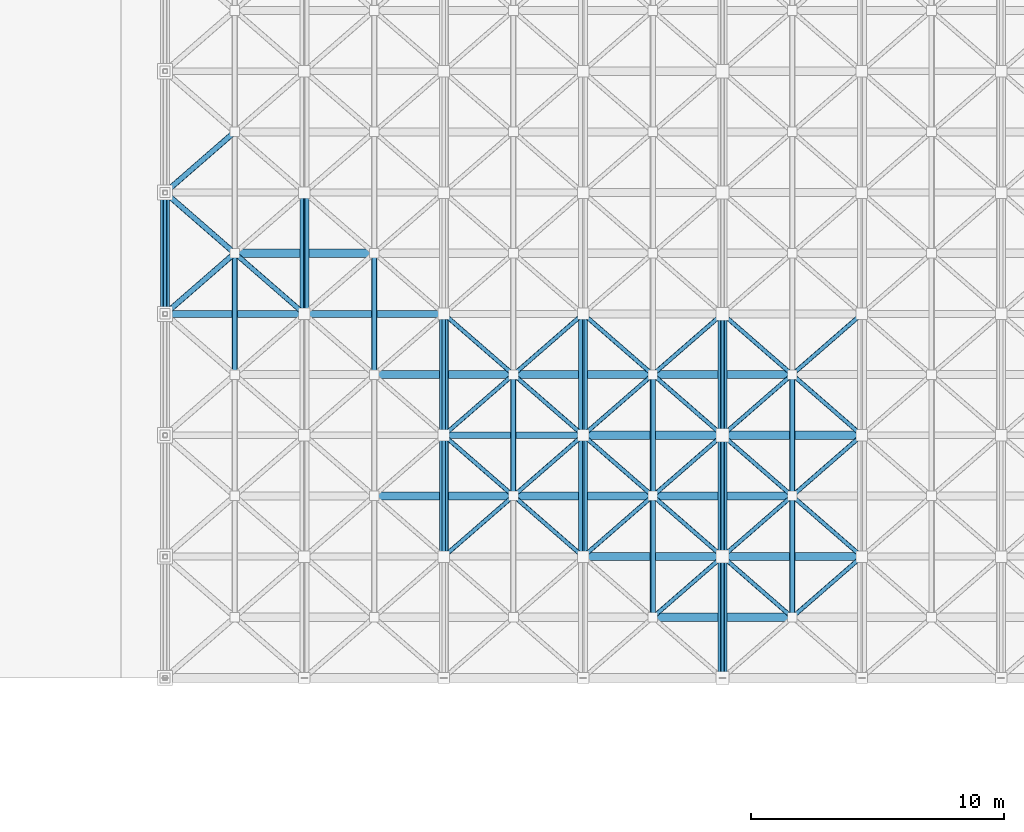
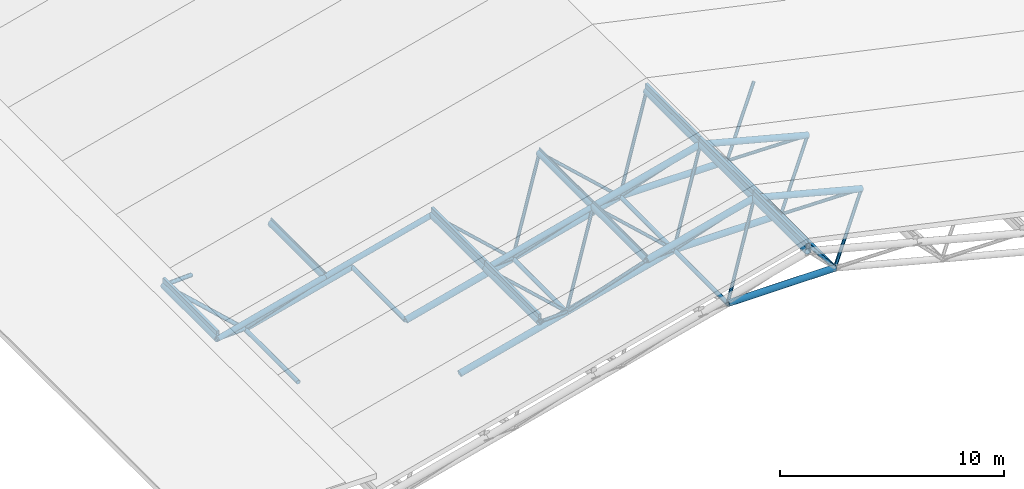
# One storey, part 2 of 60: 71 members.
"""IFC4 building model written with IfcOpenShell, lengths in metres."""

from ifc_helpers import new_model, si_unit, direction, frame, origin, origin_2d, place, context, subcontext, project, spatial, hollow_rectangle, hollow_circle, extrude, material, material_profile, profile_set, type_object, element, save


model = new_model("IFC4")

# Units and contexts
model_context = context("Model", 3, precision=1e-05, world=origin(), true_north=direction((0.0, 1.0)))
body_context = subcontext(model_context, "Body", "Model", "MODEL_VIEW")
ifc_project = project(units=[si_unit("LENGTHUNIT", "METRE"), si_unit("AREAUNIT", "SQUARE_METRE"), si_unit("VOLUMEUNIT", "CUBIC_METRE"), si_unit("PLANEANGLEUNIT", "RADIAN"), si_unit("MASSUNIT", "GRAM", prefix="KILO")], contexts=[model_context])

# Site, building, storey
site_placement = place(None, origin())
site = spatial("IfcSite", under=ifc_project, at=site_placement, CompositionType="ELEMENT")
building_placement = place(site_placement, origin())
building = spatial("IfcBuilding", under=site, at=building_placement, Name="Nakhvara Creek Congress Hotel", CompositionType="ELEMENT")
storey_placement = place(building_placement, frame((0.0, 0.0, 54.60009765625)))
storey = spatial("IfcBuildingStorey", under=building, at=storey_placement, Name="RL1", CompositionType="ELEMENT", Elevation=54.60009765625)

# Members
ifc_material = material(Name="Steel S355J2H", Category="steel")
ifc_material_profile_1 = material_profile(ifc_material, hollow_circle(Radius=0.084228515625, WallThickness=0.010009765625, at=origin_2d()), Name="CHS 168.3x10.0", Category="LoadBearing")
ifc_profile_set_1 = profile_set([ifc_material_profile_1], Name="Steel S355J2H")
member_type_1 = type_object("IfcMemberType", Name="MEM-BRC-CHS168H", PredefinedType="BRACE", material=ifc_profile_set_1)
for number, where, z_axis, x_axis, name in (
    (1, (28.44384765625, 36.0, -32.610107421875), (0.558202925689, 0.486060302908, 0.672424624541), (-0.656691284984, 0.754159503173, 0.0), "Congress Space Frame Web Diagonal 0219"),
    (2, (33.956298828125, 36.0, -32.610107421875), (-0.558236963804, 0.486046886997, 0.672406064728), (-0.656658200939, -0.754188310132, 0.0), "Congress Space Frame Web Diagonal 0224"),
):
    element("IfcMember", number, at=place(storey_placement, frame(where, z_axis=z_axis, x_axis=x_axis)), inside=storey, type_object=member_type_1, Name=name, PredefinedType="BRACE", context=body_context, shape_type="SweptSolid", body=[
        extrude(hollow_circle(Radius=0.084228515625, WallThickness=0.010009765625, at=origin_2d()), origin(), (0.0, 0.0, 1.0), 4.9375),
    ])
for number, where, z_axis, x_axis, name in (
    (3, (33.956298828125, 36.0, -32.610107421875), (0.670616255838, 0.583945238275, 0.457473273648), (-0.656691284984, 0.754159503173, 0.0), "Congress Space Frame Web Diagonal 0225"),
    (4, (22.93115234375, 40.800048828125, -34.050048828125), (-0.670611215194, -0.584000253041, 0.457410431127), (0.656729278158, -0.754126418587, 0.0), "Congress Space Frame Web Diagonal 0257"),
):
    element("IfcMember", number, at=place(storey_placement, frame(where, z_axis=z_axis, x_axis=x_axis)), inside=storey, type_object=member_type_1, Name=name, PredefinedType="BRACE", context=body_context, shape_type="SweptSolid", body=[
        extrude(hollow_circle(Radius=0.084228515625, WallThickness=0.010009765625, at=origin_2d()), origin(), (0.0, 0.0, 1.0), 4.10986328125),
    ])
member_1_placement = place(storey_placement, frame((22.93115234375, 40.800048828125, -34.050048828125), z_axis=(0.558223547657, -0.486084649868, 0.672389904746), x_axis=(0.656696195101, 0.754155227616, 0.0)))
element("IfcMember", 5, at=member_1_placement, inside=storey, type_object=member_type_1, Name="Congress Space Frame Web Diagonal 0258", PredefinedType="BRACE", context=body_context, shape_type="SweptSolid", body=[
    extrude(hollow_circle(Radius=0.084228515625, WallThickness=0.010009765625, at=origin_2d()), origin(), (0.0, 0.0, 1.0), 4.937744140625),
])
member_2_placement = place(storey_placement, frame((22.93115234375, 40.800048828125, -34.050048828125), z_axis=(-0.670634480014, 0.583961107143, 0.457426299593), x_axis=(-0.656691284984, -0.754159503173, 0.0)))
element("IfcMember", 6, at=member_2_placement, inside=storey, type_object=member_type_1, Name="Congress Space Frame Web Diagonal 0259", PredefinedType="BRACE", context=body_context, shape_type="SweptSolid", body=[
    extrude(hollow_circle(Radius=0.084228515625, WallThickness=0.010009765625, at=origin_2d()), origin(), (0.0, 0.0, 1.0), 4.109619140625),
])
member_3_placement = place(storey_placement, frame((22.93115234375, 40.800048828125, -34.050048828125), z_axis=(0.558236963804, 0.486046886997, 0.672406064728), x_axis=(-0.656658200939, 0.754188310132, 0.0)))
element("IfcMember", 7, at=member_3_placement, inside=storey, type_object=member_type_1, Name="Congress Space Frame Web Diagonal 0260", PredefinedType="BRACE", context=body_context, shape_type="SweptSolid", body=[
    extrude(hollow_circle(Radius=0.084228515625, WallThickness=0.010009765625, at=origin_2d()), origin(), (0.0, 0.0, 1.0), 4.9375),
])
member_4_placement = place(storey_placement, frame((28.44384765625, 40.800048828125, -32.610107421875), z_axis=(-0.670625680367, -0.583961121673, 0.457439181976), x_axis=(0.656696195101, -0.754155227616, 0.0)))
element("IfcMember", 8, at=member_4_placement, inside=storey, type_object=member_type_1, Name="Congress Space Frame Web Diagonal 0263", PredefinedType="BRACE", context=body_context, shape_type="SweptSolid", body=[
    extrude(hollow_circle(Radius=0.084228515625, WallThickness=0.010009765625, at=origin_2d()), origin(), (0.0, 0.0, 1.0), 4.110107421875),
])
member_5_placement = place(storey_placement, frame((28.44384765625, 40.800048828125, -32.610107421875), z_axis=(0.558189509619, -0.486098066176, 0.672408463221), x_axis=(0.656729278158, 0.754126418587, 0.0)))
element("IfcMember", 9, at=member_5_placement, inside=storey, type_object=member_type_1, Name="Congress Space Frame Web Diagonal 0264", PredefinedType="BRACE", context=body_context, shape_type="SweptSolid", body=[
    extrude(hollow_circle(Radius=0.084228515625, WallThickness=0.010009765625, at=origin_2d()), origin(), (0.0, 0.0, 1.0), 4.9375),
])
member_6_placement = place(storey_placement, frame((28.44384765625, 40.800048828125, -32.610107421875), z_axis=(-0.670648942571, 0.583921975684, 0.457455049313), x_axis=(-0.656658200939, -0.754188310132, 0.0)))
element("IfcMember", 10, at=member_6_placement, inside=storey, type_object=member_type_1, Name="Congress Space Frame Web Diagonal 0265", PredefinedType="BRACE", context=body_context, shape_type="SweptSolid", body=[
    extrude(hollow_circle(Radius=0.084228515625, WallThickness=0.010009765625, at=origin_2d()), origin(), (0.0, 0.0, 1.0), 4.10986328125),
])
member_7_placement = place(storey_placement, frame((28.44384765625, 40.800048828125, -32.610107421875), z_axis=(0.558202925689, 0.486060302908, 0.672424624541), x_axis=(-0.656691284984, 0.754159503173, 0.0)))
element("IfcMember", 11, at=member_7_placement, inside=storey, type_object=member_type_1, Name="Congress Space Frame Web Diagonal 0266", PredefinedType="BRACE", context=body_context, shape_type="SweptSolid", body=[
    extrude(hollow_circle(Radius=0.084228515625, WallThickness=0.010009765625, at=origin_2d()), origin(), (0.0, 0.0, 1.0), 4.9375),
])
member_8_placement = place(storey_placement, frame((33.956298828125, 40.800048828125, -32.610107421875), z_axis=(-0.558223547657, -0.486084649868, 0.672389904746), x_axis=(0.656696195101, -0.754155227616, 0.0)))
element("IfcMember", 12, at=member_8_placement, inside=storey, type_object=member_type_1, Name="Congress Space Frame Web Diagonal 0269", PredefinedType="BRACE", context=body_context, shape_type="SweptSolid", body=[
    extrude(hollow_circle(Radius=0.084228515625, WallThickness=0.010009765625, at=origin_2d()), origin(), (0.0, 0.0, 1.0), 4.937744140625),
])
member_9_placement = place(storey_placement, frame((33.956298828125, 40.800048828125, -32.610107421875), z_axis=(0.670592992914, -0.58398438421, 0.457457404414), x_axis=(0.656729278158, 0.754126418587, 0.0)))
element("IfcMember", 13, at=member_9_placement, inside=storey, type_object=member_type_1, Name="Congress Space Frame Web Diagonal 0270", PredefinedType="BRACE", context=body_context, shape_type="SweptSolid", body=[
    extrude(hollow_circle(Radius=0.084228515625, WallThickness=0.010009765625, at=origin_2d()), origin(), (0.0, 0.0, 1.0), 4.10986328125),
])
member_10_placement = place(storey_placement, frame((33.956298828125, 40.800048828125, -32.610107421875), z_axis=(-0.558236963804, 0.486046886997, 0.672406064728), x_axis=(-0.656658200939, -0.754188310132, 0.0)))
element("IfcMember", 14, at=member_10_placement, inside=storey, type_object=member_type_1, Name="Congress Space Frame Web Diagonal 0271", PredefinedType="BRACE", context=body_context, shape_type="SweptSolid", body=[
    extrude(hollow_circle(Radius=0.084228515625, WallThickness=0.010009765625, at=origin_2d()), origin(), (0.0, 0.0, 1.0), 4.9375),
])
for number, where, z_axis, x_axis, name in (
    (15, (33.956298828125, 40.800048828125, -32.610107421875), (0.670616255838, 0.583945238275, 0.457473273648), (-0.656691284984, 0.754159503173, 0.0), "Congress Space Frame Web Diagonal 0272"),
    (16, (22.93115234375, 45.60009765625, -34.050048828125), (-0.670611215194, -0.584000253041, 0.457410431127), (0.656729278158, -0.754126418587, 0.0), "Congress Space Frame Web Diagonal 0304"),
):
    element("IfcMember", number, at=place(storey_placement, frame(where, z_axis=z_axis, x_axis=x_axis)), inside=storey, type_object=member_type_1, Name=name, PredefinedType="BRACE", context=body_context, shape_type="SweptSolid", body=[
        extrude(hollow_circle(Radius=0.084228515625, WallThickness=0.010009765625, at=origin_2d()), origin(), (0.0, 0.0, 1.0), 4.10986328125),
    ])
member_11_placement = place(storey_placement, frame((22.93115234375, 45.60009765625, -34.050048828125), z_axis=(0.558223547657, -0.486084649868, 0.672389904746), x_axis=(0.656696195101, 0.754155227616, 0.0)))
element("IfcMember", 17, at=member_11_placement, inside=storey, type_object=member_type_1, Name="Congress Space Frame Web Diagonal 0305", PredefinedType="BRACE", context=body_context, shape_type="SweptSolid", body=[
    extrude(hollow_circle(Radius=0.084228515625, WallThickness=0.010009765625, at=origin_2d()), origin(), (0.0, 0.0, 1.0), 4.937744140625),
])
member_12_placement = place(storey_placement, frame((22.93115234375, 45.60009765625, -34.050048828125), z_axis=(-0.670634480014, 0.583961107143, 0.457426299593), x_axis=(-0.656691284984, -0.754159503173, 0.0)))
element("IfcMember", 18, at=member_12_placement, inside=storey, type_object=member_type_1, Name="Congress Space Frame Web Diagonal 0306", PredefinedType="BRACE", context=body_context, shape_type="SweptSolid", body=[
    extrude(hollow_circle(Radius=0.084228515625, WallThickness=0.010009765625, at=origin_2d()), origin(), (0.0, 0.0, 1.0), 4.109619140625),
])
member_13_placement = place(storey_placement, frame((22.93115234375, 45.60009765625, -34.050048828125), z_axis=(0.558236963804, 0.486046886997, 0.672406064728), x_axis=(-0.656658200939, 0.754188310132, 0.0)))
element("IfcMember", 19, at=member_13_placement, inside=storey, type_object=member_type_1, Name="Congress Space Frame Web Diagonal 0307", PredefinedType="BRACE", context=body_context, shape_type="SweptSolid", body=[
    extrude(hollow_circle(Radius=0.084228515625, WallThickness=0.010009765625, at=origin_2d()), origin(), (0.0, 0.0, 1.0), 4.9375),
])
member_14_placement = place(storey_placement, frame((28.44384765625, 45.60009765625, -32.610107421875), z_axis=(-0.670625680367, -0.583961121673, 0.457439181976), x_axis=(0.656696195101, -0.754155227616, 0.0)))
element("IfcMember", 20, at=member_14_placement, inside=storey, type_object=member_type_1, Name="Congress Space Frame Web Diagonal 0310", PredefinedType="BRACE", context=body_context, shape_type="SweptSolid", body=[
    extrude(hollow_circle(Radius=0.084228515625, WallThickness=0.010009765625, at=origin_2d()), origin(), (0.0, 0.0, 1.0), 4.110107421875),
])
member_15_placement = place(storey_placement, frame((28.44384765625, 45.60009765625, -32.610107421875), z_axis=(0.558189509619, -0.486098066176, 0.672408463221), x_axis=(0.656729278158, 0.754126418587, 0.0)))
element("IfcMember", 21, at=member_15_placement, inside=storey, type_object=member_type_1, Name="Congress Space Frame Web Diagonal 0311", PredefinedType="BRACE", context=body_context, shape_type="SweptSolid", body=[
    extrude(hollow_circle(Radius=0.084228515625, WallThickness=0.010009765625, at=origin_2d()), origin(), (0.0, 0.0, 1.0), 4.9375),
])
member_16_placement = place(storey_placement, frame((28.44384765625, 45.60009765625, -32.610107421875), z_axis=(-0.670648942571, 0.583921975684, 0.457455049313), x_axis=(-0.656658200939, -0.754188310132, 0.0)))
element("IfcMember", 22, at=member_16_placement, inside=storey, type_object=member_type_1, Name="Congress Space Frame Web Diagonal 0312", PredefinedType="BRACE", context=body_context, shape_type="SweptSolid", body=[
    extrude(hollow_circle(Radius=0.084228515625, WallThickness=0.010009765625, at=origin_2d()), origin(), (0.0, 0.0, 1.0), 4.10986328125),
])
member_17_placement = place(storey_placement, frame((28.44384765625, 45.60009765625, -32.610107421875), z_axis=(0.558202925689, 0.486060302908, 0.672424624541), x_axis=(-0.656691284984, 0.754159503173, 0.0)))
element("IfcMember", 23, at=member_17_placement, inside=storey, type_object=member_type_1, Name="Congress Space Frame Web Diagonal 0313", PredefinedType="BRACE", context=body_context, shape_type="SweptSolid", body=[
    extrude(hollow_circle(Radius=0.084228515625, WallThickness=0.010009765625, at=origin_2d()), origin(), (0.0, 0.0, 1.0), 4.9375),
])
member_18_placement = place(storey_placement, frame((33.956298828125, 45.60009765625, -32.610107421875), z_axis=(-0.558223547657, -0.486084649868, 0.672389904746), x_axis=(0.656696195101, -0.754155227616, 0.0)))
element("IfcMember", 24, at=member_18_placement, inside=storey, type_object=member_type_1, Name="Congress Space Frame Web Diagonal 0316", PredefinedType="BRACE", context=body_context, shape_type="SweptSolid", body=[
    extrude(hollow_circle(Radius=0.084228515625, WallThickness=0.010009765625, at=origin_2d()), origin(), (0.0, 0.0, 1.0), 4.937744140625),
])
member_19_placement = place(storey_placement, frame((33.956298828125, 45.60009765625, -32.610107421875), z_axis=(0.670592992914, -0.58398438421, 0.457457404414), x_axis=(0.656729278158, 0.754126418587, 0.0)))
element("IfcMember", 25, at=member_19_placement, inside=storey, type_object=member_type_1, Name="Congress Space Frame Web Diagonal 0317", PredefinedType="BRACE", context=body_context, shape_type="SweptSolid", body=[
    extrude(hollow_circle(Radius=0.084228515625, WallThickness=0.010009765625, at=origin_2d()), origin(), (0.0, 0.0, 1.0), 4.10986328125),
])
member_20_placement = place(storey_placement, frame((33.956298828125, 45.60009765625, -32.610107421875), z_axis=(-0.558236963804, 0.486046886997, 0.672406064728), x_axis=(-0.656658200939, -0.754188310132, 0.0)))
element("IfcMember", 26, at=member_20_placement, inside=storey, type_object=member_type_1, Name="Congress Space Frame Web Diagonal 0318", PredefinedType="BRACE", context=body_context, shape_type="SweptSolid", body=[
    extrude(hollow_circle(Radius=0.084228515625, WallThickness=0.010009765625, at=origin_2d()), origin(), (0.0, 0.0, 1.0), 4.9375),
])
member_21_placement = place(storey_placement, frame((33.956298828125, 45.60009765625, -32.610107421875), z_axis=(0.670616255838, 0.583945238275, 0.457473273648), x_axis=(-0.656691284984, 0.754159503173, 0.0)))
element("IfcMember", 27, at=member_21_placement, inside=storey, type_object=member_type_1, Name="Congress Space Frame Web Diagonal 0319", PredefinedType="BRACE", context=body_context, shape_type="SweptSolid", body=[
    extrude(hollow_circle(Radius=0.084228515625, WallThickness=0.010009765625, at=origin_2d()), origin(), (0.0, 0.0, 1.0), 4.10986328125),
])
ifc_material_profile_2 = material_profile(ifc_material, hollow_circle(Radius=0.096923828125, WallThickness=0.010009765625, at=origin_2d()), Name="CHS 193.7x10.0", Category="LoadBearing")
ifc_profile_set_2 = profile_set([ifc_material_profile_2], Name="Steel S355J2H")
member_type_2 = type_object("IfcMemberType", Name="MEM-BRC-CHS193", PredefinedType="BRACE", material=ifc_profile_set_2)
member_22_placement = place(storey_placement, frame((11.90625, 50.39990234375, -36.93017578125), z_axis=(0.558236963804, -0.486046886997, 0.672406064728), x_axis=(0.656658200939, 0.754188310132, 0.0)))
element("IfcMember", 28, at=member_22_placement, inside=storey, type_object=member_type_2, Name="Congress Space Frame Web Diagonal 0340", PredefinedType="BRACE", context=body_context, shape_type="SweptSolid", body=[
    extrude(hollow_circle(Radius=0.096923828125, WallThickness=0.010009765625, at=origin_2d()), origin(), (0.0, 0.0, 1.0), 4.9375),
])
ifc_material_profile_3 = material_profile(ifc_material, hollow_circle(Radius=0.109619140625, WallThickness=0.010009765625, at=origin_2d()), Name="CHS 219.1x10.0", Category="LoadBearing")
ifc_profile_set_3 = profile_set([ifc_material_profile_3], Name="Steel S355J2H")
member_type_3 = type_object("IfcMemberType", Name="MEM-BRC-CHS219", PredefinedType="BRACE", material=ifc_profile_set_3)
member_23_placement = place(storey_placement, frame((11.90625, 50.39990234375, -36.93017578125), z_axis=(-0.670648942571, -0.583921975684, 0.457455049313), x_axis=(0.656658200939, -0.754188310132, 0.0)))
element("IfcMember", 29, at=member_23_placement, inside=storey, type_object=member_type_3, Name="Congress Space Frame Web Diagonal 0339", PredefinedType="BRACE", context=body_context, shape_type="SweptSolid", body=[
    extrude(hollow_circle(Radius=0.109619140625, WallThickness=0.010009765625, at=origin_2d()), origin(), (0.0, 0.0, 1.0), 4.10986328125),
])
member_24_placement = place(storey_placement, frame((11.90625, 50.39990234375, -36.93017578125), z_axis=(-0.670625680367, 0.583961121673, 0.457439181976), x_axis=(-0.656696195101, -0.754155227616, 0.0)))
element("IfcMember", 30, at=member_24_placement, inside=storey, type_object=member_type_3, Name="Congress Space Frame Web Diagonal 0341", PredefinedType="BRACE", context=body_context, shape_type="SweptSolid", body=[
    extrude(hollow_circle(Radius=0.109619140625, WallThickness=0.010009765625, at=origin_2d()), origin(), (0.0, 0.0, 1.0), 4.110107421875),
])
member_25_placement = place(storey_placement, frame((11.90625, 55.199951171875, -36.93017578125), z_axis=(-0.670648942571, -0.583921975684, 0.457455049313), x_axis=(0.656658200939, -0.754188310132, 0.0)))
element("IfcMember", 31, at=member_25_placement, inside=storey, type_object=member_type_3, Name="Congress Space Frame Web Diagonal 0386", PredefinedType="BRACE", context=body_context, shape_type="SweptSolid", body=[
    extrude(hollow_circle(Radius=0.109619140625, WallThickness=0.010009765625, at=origin_2d()), origin(), (0.0, 0.0, 1.0), 4.10986328125),
])
ifc_material_profile_4 = material_profile(ifc_material, hollow_circle(Radius=0.109619140625, WallThickness=0.012451171875, at=origin_2d()), Name="CHS 219.1x12.5", Category="LoadBearing")
ifc_profile_set_4 = profile_set([ifc_material_profile_4], Name="Steel S355J2H")
member_type_4 = type_object("IfcMemberType", Name="MEM-CHD-CHS219H", PredefinedType="CHORD", material=ifc_profile_set_4)
for number, where, z_axis, x_axis, name in (
    (32, (28.44384765625, 36.0, -32.610107421875), (0.0, 1.0, 0.0), (-1.0, 0.0, 0.0), "Congress Roof Truss Bottom Tie 0215"),
    (33, (33.956298828125, 36.0, -32.610107421875), (0.0, 1.0, 0.0), (-1.0, 0.0, 0.0), "Congress Roof Truss Bottom Tie 0221"),
    (34, (22.93115234375, 40.800048828125, -34.050048828125), (0.0, 1.0, 0.0), (-1.0, 0.0, 0.0), "Congress Roof Truss Bottom Tie 0256"),
    (35, (28.44384765625, 40.800048828125, -32.610107421875), (0.0, 1.0, 0.0), (-1.0, 0.0, 0.0), "Congress Roof Truss Bottom Tie 0262"),
    (36, (33.956298828125, 40.800048828125, -32.610107421875), (0.0, 1.0, 0.0), (-1.0, 0.0, 0.0), "Congress Roof Truss Bottom Tie 0268"),
):
    element("IfcMember", number, at=place(storey_placement, frame(where, z_axis=z_axis, x_axis=x_axis)), inside=storey, type_object=member_type_4, Name=name, PredefinedType="CHORD", context=body_context, shape_type="SweptSolid", body=[
        extrude(hollow_circle(Radius=0.109619140625, WallThickness=0.012451171875, at=origin_2d()), origin(), (0.0, 0.0, 1.0), 4.800048828125),
    ])
for number, where, z_axis, x_axis, name in (
    (37, (11.90625, 45.60009765625, -36.93017578125), (0.0, 1.0, 0.0), (-1.0, 0.0, 0.0), "Congress Roof Truss Bottom Tie 0291"),
    (38, (17.418701171875, 45.60009765625, -35.489990234375), (0.0, 1.0, 0.0), (-1.0, 0.0, 0.0), "Congress Roof Truss Bottom Tie 0297"),
):
    element("IfcMember", number, at=place(storey_placement, frame(where, z_axis=z_axis, x_axis=x_axis)), inside=storey, type_object=member_type_4, Name=name, PredefinedType="CHORD", context=body_context, shape_type="SweptSolid", body=[
        extrude(hollow_circle(Radius=0.109619140625, WallThickness=0.012451171875, at=origin_2d()), origin(), (0.0, 0.0, 1.0), 4.7998046875),
    ])
ifc_material_profile_5 = material_profile(ifc_material, hollow_circle(Radius=0.136474609375, WallThickness=0.01611328125, at=origin_2d()), Name="CHS 273.0x16.0", Category="LoadBearing")
ifc_profile_set_5 = profile_set([ifc_material_profile_5], Name="Steel S355J2H")
member_type_5 = type_object("IfcMemberType", Name="MEM-CHD-CHS273H", PredefinedType="CHORD", material=ifc_profile_set_5)
member_26_placement = place(storey_placement, frame((20.175048828125, 43.199951171875, -32.170166015625), z_axis=(0.967524832219, 0.0, 0.252775985883), x_axis=(0.0, 1.0, 0.0)))
element("IfcMember", 39, at=member_26_placement, inside=storey, type_object=member_type_5, Name="Congress Space Frame Top Chord 0039", PredefinedType="CHORD", context=body_context, shape_type="SweptSolid", body=[
    extrude(hollow_circle(Radius=0.136474609375, WallThickness=0.01611328125, at=origin_2d()), origin(), (0.0, 0.0, 1.0), 5.697509765625),
])
member_27_placement = place(storey_placement, frame((9.14990234375, 48.0, -35.050048828125), z_axis=(0.967538048321, 0.0, 0.252725394553), x_axis=(0.0, 1.0, 0.0)))
element("IfcMember", 40, at=member_27_placement, inside=storey, type_object=member_type_5, Name="Congress Space Frame Top Chord 0052", PredefinedType="CHORD", context=body_context, shape_type="SweptSolid", body=[
    extrude(hollow_circle(Radius=0.136474609375, WallThickness=0.01611328125, at=origin_2d()), origin(), (0.0, 0.0, 1.0), 5.69775390625),
])
member_28_placement = place(storey_placement, frame((14.66259765625, 48.0, -33.610107421875), z_axis=(0.967535311358, 0.0, 0.252735872554), x_axis=(0.0, 1.0, 0.0)))
element("IfcMember", 41, at=member_28_placement, inside=storey, type_object=member_type_5, Name="Congress Space Frame Top Chord 0054", PredefinedType="CHORD", context=body_context, shape_type="SweptSolid", body=[
    extrude(hollow_circle(Radius=0.136474609375, WallThickness=0.01611328125, at=origin_2d()), origin(), (0.0, 0.0, 1.0), 5.697509765625),
])
ifc_material_profile_6 = material_profile(ifc_material, hollow_circle(Radius=0.161865234375, WallThickness=0.012451171875, at=origin_2d()), Name="CHS 323.9x12.5", Category="LoadBearing")
ifc_profile_set_6 = profile_set([ifc_material_profile_6], Name="Steel S355J2H")
member_type_6 = type_object("IfcMemberType", Name="MEM-CHD-CHS324", PredefinedType="CHORD", material=ifc_profile_set_6)
member_29_placement = place(storey_placement, frame((28.44384765625, 36.0, -32.610107421875), z_axis=(1.0, 0.0, 0.0), x_axis=(0.0, 1.0, 0.0)))
element("IfcMember", 42, at=member_29_placement, inside=storey, type_object=member_type_6, Name="Congress Space Frame Bottom Chord 0214", PredefinedType="CHORD", context=body_context, shape_type="SweptSolid", body=[
    extrude(hollow_circle(Radius=0.161865234375, WallThickness=0.012451171875, at=origin_2d()), origin(), (0.0, 0.0, 1.0), 5.512451171875),
])
member_30_placement = place(storey_placement, frame((17.418701171875, 40.800048828125, -35.489990234375), z_axis=(0.967535311358, 0.0, 0.252735872554), x_axis=(0.0, 1.0, 0.0)))
element("IfcMember", 43, at=member_30_placement, inside=storey, type_object=member_type_6, Name="Congress Space Frame Bottom Chord 0249", PredefinedType="CHORD", context=body_context, shape_type="SweptSolid", body=[
    extrude(hollow_circle(Radius=0.161865234375, WallThickness=0.012451171875, at=origin_2d()), origin(), (0.0, 0.0, 1.0), 5.697509765625),
])
member_31_placement = place(storey_placement, frame((22.93115234375, 40.800048828125, -34.050048828125), z_axis=(0.967538048321, 0.0, 0.252725394553), x_axis=(0.0, 1.0, 0.0)))
element("IfcMember", 44, at=member_31_placement, inside=storey, type_object=member_type_6, Name="Congress Space Frame Bottom Chord 0255", PredefinedType="CHORD", context=body_context, shape_type="SweptSolid", body=[
    extrude(hollow_circle(Radius=0.161865234375, WallThickness=0.012451171875, at=origin_2d()), origin(), (0.0, 0.0, 1.0), 5.69775390625),
])
member_32_placement = place(storey_placement, frame((28.44384765625, 40.800048828125, -32.610107421875), z_axis=(1.0, 0.0, 0.0), x_axis=(0.0, 1.0, 0.0)))
element("IfcMember", 45, at=member_32_placement, inside=storey, type_object=member_type_6, Name="Congress Space Frame Bottom Chord 0261", PredefinedType="CHORD", context=body_context, shape_type="SweptSolid", body=[
    extrude(hollow_circle(Radius=0.161865234375, WallThickness=0.012451171875, at=origin_2d()), origin(), (0.0, 0.0, 1.0), 5.512451171875),
])
member_33_placement = place(storey_placement, frame((17.418701171875, 45.60009765625, -35.489990234375), z_axis=(0.967535311358, 0.0, 0.252735872554), x_axis=(0.0, 1.0, 0.0)))
element("IfcMember", 46, at=member_33_placement, inside=storey, type_object=member_type_6, Name="Congress Space Frame Bottom Chord 0296", PredefinedType="CHORD", context=body_context, shape_type="SweptSolid", body=[
    extrude(hollow_circle(Radius=0.161865234375, WallThickness=0.012451171875, at=origin_2d()), origin(), (0.0, 0.0, 1.0), 5.697509765625),
])
member_34_placement = place(storey_placement, frame((22.93115234375, 45.60009765625, -34.050048828125), z_axis=(0.967538048321, 0.0, 0.252725394553), x_axis=(0.0, 1.0, 0.0)))
element("IfcMember", 47, at=member_34_placement, inside=storey, type_object=member_type_6, Name="Congress Space Frame Bottom Chord 0302", PredefinedType="CHORD", context=body_context, shape_type="SweptSolid", body=[
    extrude(hollow_circle(Radius=0.161865234375, WallThickness=0.012451171875, at=origin_2d()), origin(), (0.0, 0.0, 1.0), 5.69775390625),
])
member_35_placement = place(storey_placement, frame((28.44384765625, 45.60009765625, -32.610107421875), z_axis=(1.0, 0.0, 0.0), x_axis=(0.0, 1.0, 0.0)))
element("IfcMember", 48, at=member_35_placement, inside=storey, type_object=member_type_6, Name="Congress Space Frame Bottom Chord 0308", PredefinedType="CHORD", context=body_context, shape_type="SweptSolid", body=[
    extrude(hollow_circle(Radius=0.161865234375, WallThickness=0.012451171875, at=origin_2d()), origin(), (0.0, 0.0, 1.0), 5.512451171875),
])
member_36_placement = place(storey_placement, frame((11.90625, 50.39990234375, -36.93017578125), z_axis=(0.967524832219, 0.0, 0.252775985883), x_axis=(0.0, 1.0, 0.0)))
element("IfcMember", 49, at=member_36_placement, inside=storey, type_object=member_type_6, Name="Congress Space Frame Bottom Chord 0337", PredefinedType="CHORD", context=body_context, shape_type="SweptSolid", body=[
    extrude(hollow_circle(Radius=0.161865234375, WallThickness=0.012451171875, at=origin_2d()), origin(), (0.0, 0.0, 1.0), 5.697509765625),
])
ifc_material_profile_7 = material_profile(ifc_material, hollow_circle(Radius=0.161865234375, WallThickness=0.01611328125, at=origin_2d()), Name="CHS 323.9x16.0", Category="LoadBearing")
ifc_profile_set_7 = profile_set([ifc_material_profile_7], Name="Steel S355J2H")
member_type_7 = type_object("IfcMemberType", Name="MEM-CHD-CHS324H", PredefinedType="CHORD", material=ifc_profile_set_7)
for number, where, z_axis, x_axis, name in (
    (50, (25.6875, 38.39990234375, -30.72998046875), (0.967535311358, 0.0, 0.252735872554), (0.0, 1.0, 0.0), "Congress Space Frame Top Chord 0024"),
    (51, (31.199951171875, 38.39990234375, -29.2900390625), (0.967535311358, 0.0, -0.252735872554), (0.0, 1.0, 0.0), "Congress Space Frame Top Chord 0026"),
    (52, (25.6875, 43.199951171875, -30.72998046875), (0.967535311358, 0.0, 0.252735872554), (0.0, 1.0, 0.0), "Congress Space Frame Top Chord 0041"),
    (53, (31.199951171875, 43.199951171875, -29.2900390625), (0.967535311358, 0.0, -0.252735872554), (0.0, 1.0, 0.0), "Congress Space Frame Top Chord 0043"),
):
    element("IfcMember", number, at=place(storey_placement, frame(where, z_axis=z_axis, x_axis=x_axis)), inside=storey, type_object=member_type_7, Name=name, PredefinedType="CHORD", context=body_context, shape_type="SweptSolid", body=[
        extrude(hollow_circle(Radius=0.161865234375, WallThickness=0.01611328125, at=origin_2d()), origin(), (0.0, 0.0, 1.0), 5.697509765625),
    ])
ifc_material_profile_8 = material_profile(ifc_material, hollow_circle(Radius=0.177734375, WallThickness=0.01611328125, at=origin_2d()), Name="CHS 355.6x16.0", Category="LoadBearing")
ifc_profile_set_8 = profile_set([ifc_material_profile_8], Name="Steel S355J2H")
member_type_8 = type_object("IfcMemberType", Name="MEM-CHD-CHS355", PredefinedType="CHORD", material=ifc_profile_set_8)
member_37_placement = place(storey_placement, frame((31.199951171875, 33.60009765625, -29.2900390625), z_axis=(0.0, 1.0, 0.0), x_axis=(-1.0, 0.0, 0.0)))
element("IfcMember", 54, at=member_37_placement, inside=storey, type_object=member_type_8, Name="Congress Roof Truss Longitudinal Chord 0010", PredefinedType="CHORD", context=body_context, shape_type="SweptSolid", body=[
    extrude(hollow_circle(Radius=0.177734375, WallThickness=0.01611328125, at=origin_2d()), origin(), (0.0, 0.0, 1.0), 4.7998046875),
])
for number, where, z_axis, x_axis, name in (
    (55, (20.175048828125, 38.39990234375, -32.170166015625), (0.0, 1.0, 0.0), (-1.0, 0.0, 0.0), "Congress Roof Truss Longitudinal Chord 0023"),
    (56, (25.6875, 38.39990234375, -30.72998046875), (0.0, 1.0, 0.0), (-1.0, 0.0, 0.0), "Congress Roof Truss Longitudinal Chord 0025"),
    (57, (31.199951171875, 38.39990234375, -29.2900390625), (0.0, 1.0, 0.0), (-1.0, 0.0, 0.0), "Congress Roof Truss Longitudinal Chord 0027"),
    (58, (20.175048828125, 43.199951171875, -32.170166015625), (0.0, 1.0, 0.0), (-1.0, 0.0, 0.0), "Congress Roof Truss Longitudinal Chord 0040"),
    (59, (25.6875, 43.199951171875, -30.72998046875), (0.0, 1.0, 0.0), (-1.0, 0.0, 0.0), "Congress Roof Truss Longitudinal Chord 0042"),
    (60, (31.199951171875, 43.199951171875, -29.2900390625), (0.0, 1.0, 0.0), (-1.0, 0.0, 0.0), "Congress Roof Truss Longitudinal Chord 0044"),
    (61, (9.14990234375, 48.0, -35.050048828125), (0.0, 1.0, 0.0), (-1.0, 0.0, 0.0), "Congress Roof Truss Longitudinal Chord 0053"),
    (62, (14.66259765625, 48.0, -33.610107421875), (0.0, 1.0, 0.0), (-1.0, 0.0, 0.0), "Congress Roof Truss Longitudinal Chord 0055"),
):
    element("IfcMember", number, at=place(storey_placement, frame(where, z_axis=z_axis, x_axis=x_axis)), inside=storey, type_object=member_type_8, Name=name, PredefinedType="CHORD", context=body_context, shape_type="SweptSolid", body=[
        extrude(hollow_circle(Radius=0.177734375, WallThickness=0.01611328125, at=origin_2d()), origin(), (0.0, 0.0, 1.0), 4.800048828125),
    ])
ifc_material_profile_9 = material_profile(ifc_material, hollow_rectangle(XDim=0.06005859375, YDim=0.1201171875, WallThickness=0.0048828125, InnerFilletRadius=0.0048828125, OuterFilletRadius=0.010009765625, at=origin_2d()), Name="RHS 120x60x5.0", Category="LoadBearing")
ifc_profile_set_9 = profile_set([ifc_material_profile_9], Name="Steel S355J2H")
member_type_9 = type_object("IfcMemberType", Name="MEM-PUR-RHS120", PredefinedType="PURLIN", material=ifc_profile_set_9)
for number, where, z_axis, x_axis, name in (
    (63, (14.66259765625, 48.0, -33.378173828125), (0.0, 1.0, 0.0), (-1.0, 0.0, 0.0), "Congress Roof Purlin 015"),
    (64, (25.6875, 38.39990234375, -30.498046875), (0.0, 1.0, 0.0), (-1.0, 0.0, 0.0), "Congress Roof Purlin 035"),
    (65, (25.6875, 43.199951171875, -30.498046875), (0.0, 1.0, 0.0), (-1.0, 0.0, 0.0), "Congress Roof Purlin 036"),
):
    element("IfcMember", number, at=place(storey_placement, frame(where, z_axis=z_axis, x_axis=x_axis)), inside=storey, type_object=member_type_9, Name=name, PredefinedType="PURLIN", context=body_context, shape_type="SweptSolid", body=[
        extrude(hollow_rectangle(XDim=0.06005859375, YDim=0.1201171875, WallThickness=0.0048828125, InnerFilletRadius=0.0048828125, OuterFilletRadius=0.010009765625, at=origin_2d()), origin(), (0.0, 0.0, 1.0), 4.800048828125),
    ])
ifc_material_profile_10 = material_profile(ifc_material, hollow_rectangle(XDim=0.14990234375, YDim=0.25, WallThickness=0.010009765625, InnerFilletRadius=0.010009765625, OuterFilletRadius=0.02001953125, at=origin_2d()), Name="RHS 250x150x10.0", Category="LoadBearing")
ifc_profile_set_10 = profile_set([ifc_material_profile_10], Name="Steel S355J2H")
member_type_10 = type_object("IfcMemberType", Name="MEM-PUR-RHS250", PredefinedType="PURLIN", material=ifc_profile_set_10)
for number, where, z_axis, x_axis, name in (
    (66, (9.14990234375, 48.0, -34.753173828125), (0.0, 1.0, 0.0), (-1.0, 0.0, 0.0), "Congress Roof Purlin 004"),
    (67, (20.175048828125, 38.39990234375, -31.873046875), (0.0, 1.0, 0.0), (-1.0, 0.0, 0.0), "Congress Roof Purlin 024"),
    (68, (20.175048828125, 43.199951171875, -31.873046875), (0.0, 1.0, 0.0), (-1.0, 0.0, 0.0), "Congress Roof Purlin 025"),
):
    element("IfcMember", number, at=place(storey_placement, frame(where, z_axis=z_axis, x_axis=x_axis)), inside=storey, type_object=member_type_10, Name=name, PredefinedType="PURLIN", context=body_context, shape_type="SweptSolid", body=[
        extrude(hollow_rectangle(XDim=0.14990234375, YDim=0.25, WallThickness=0.010009765625, InnerFilletRadius=0.010009765625, OuterFilletRadius=0.02001953125, at=origin_2d()), origin(), (0.0, 0.0, 1.0), 4.800048828125),
    ])
member_38_placement = place(storey_placement, frame((31.199951171875, 33.60009765625, -28.9931640625), z_axis=(0.0, 1.0, 0.0), x_axis=(-1.0, 0.0, 0.0)))
element("IfcMember", 69, at=member_38_placement, inside=storey, type_object=member_type_10, Name="Congress Roof Purlin 045", PredefinedType="PURLIN", context=body_context, shape_type="SweptSolid", body=[
    extrude(hollow_rectangle(XDim=0.14990234375, YDim=0.25, WallThickness=0.010009765625, InnerFilletRadius=0.010009765625, OuterFilletRadius=0.02001953125, at=origin_2d()), origin(), (0.0, 0.0, 1.0), 4.7998046875),
])
for number, where, z_axis, x_axis, name in (
    (70, (31.199951171875, 38.39990234375, -28.9931640625), (0.0, 1.0, 0.0), (-1.0, 0.0, 0.0), "Congress Roof Purlin 046"),
    (71, (31.199951171875, 43.199951171875, -28.9931640625), (0.0, 1.0, 0.0), (-1.0, 0.0, 0.0), "Congress Roof Purlin 047"),
):
    element("IfcMember", number, at=place(storey_placement, frame(where, z_axis=z_axis, x_axis=x_axis)), inside=storey, type_object=member_type_10, Name=name, PredefinedType="PURLIN", context=body_context, shape_type="SweptSolid", body=[
        extrude(hollow_rectangle(XDim=0.14990234375, YDim=0.25, WallThickness=0.010009765625, InnerFilletRadius=0.010009765625, OuterFilletRadius=0.02001953125, at=origin_2d()), origin(), (0.0, 0.0, 1.0), 4.800048828125),
    ])

save(model, "model.ifc")
